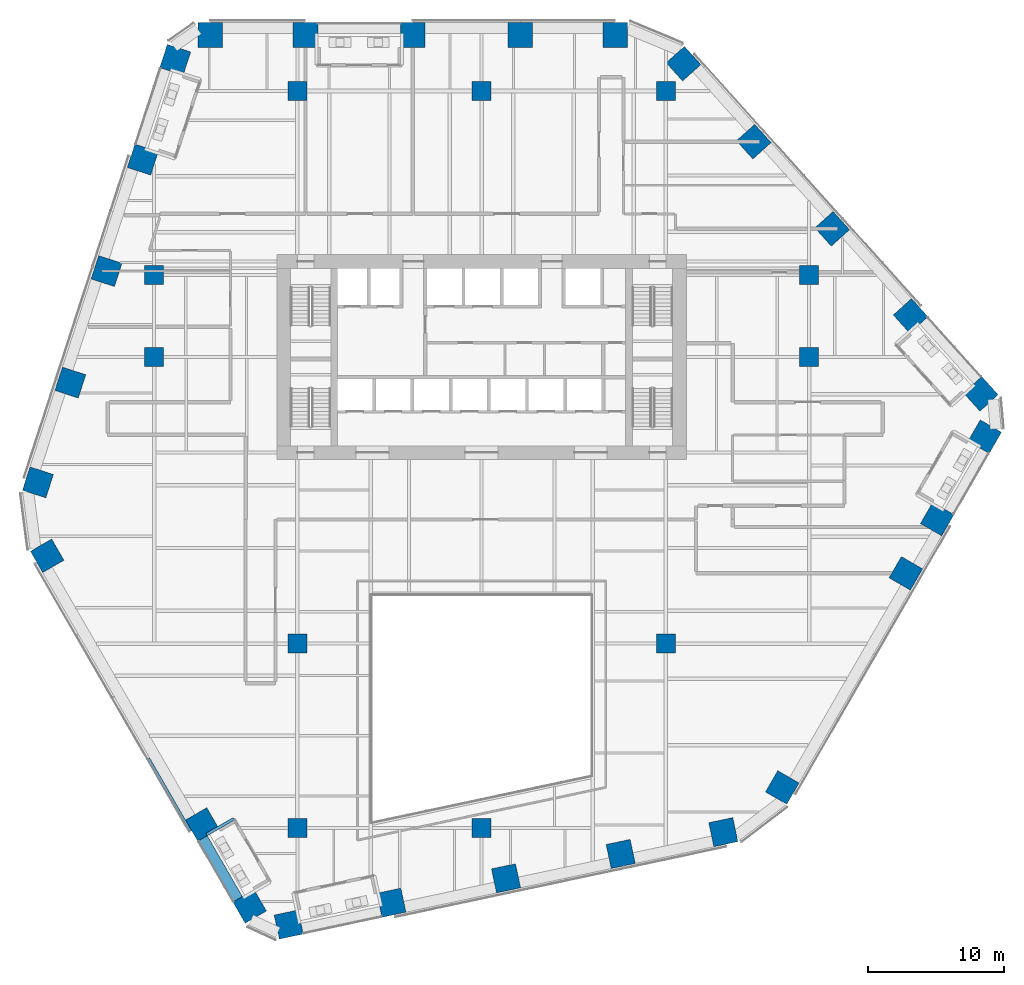
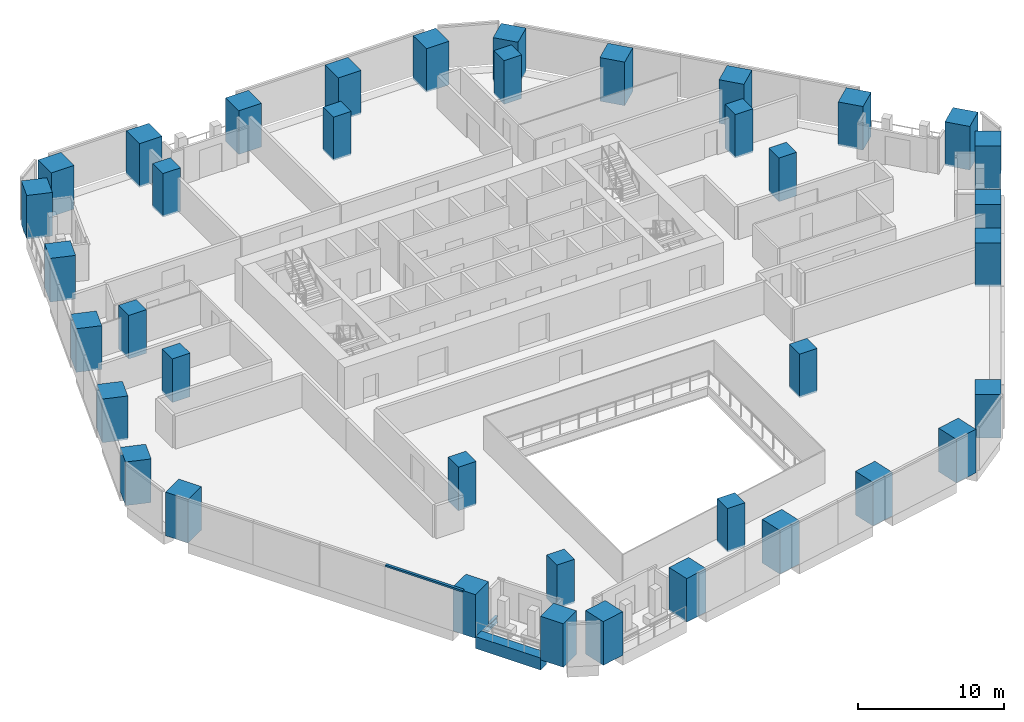
# One storey, part 1 of 28: 38 columns, 2 beams, 1 member, 1 element without a shape of its own.
"""IFC4 building model written with IfcOpenShell, lengths in metres."""

import ifcopenshell
import ifcopenshell.guid

model = None  # the IFC model being written
_history = None  # IfcOwnerHistory: only IFC2X3 demands one
_inside = {}  # id of a spatial element -> (the spatial element, [elements in it])
_under = {}  # id of a project, library or spatial element -> (it, [spatial elements below it])
_declared = {}  # id of a project -> (the project, [libraries it declares])
_typed = {}  # id of a type object -> (the type object, [elements of that type])
_made_of = {}  # id of a material, layer set ... -> (it, [elements and type objects made of it])


def new_model(schema):
    """Start an empty IFC model of exactly this schema.

    Asked for "IFC4X3", IfcOpenShell would pick the latest addendum, in which some entities
    have other attributes; the version numbers below select the first issue.
    IFC2X3 requires an IfcOwnerHistory on every rooted entity: one is made here for all.
    """
    global model, _history
    if schema == "IFC4X3":
        model = ifcopenshell.file(schema_version=(4, 3, 0, 0))
    else:
        model = ifcopenshell.file(schema=schema)
    _inside.clear()
    _under.clear()
    _declared.clear()
    _typed.clear()
    _made_of.clear()
    _history = None
    if model.schema == "IFC2X3":
        org = make("IfcOrganization", Name="unknown")
        user = make(
            "IfcPersonAndOrganization",
            ThePerson=make("IfcPerson", FamilyName="unknown"),
            TheOrganization=org,
        )
        app = make(
            "IfcApplication",
            ApplicationDeveloper=org,
            Version="unknown",
            ApplicationFullName="unknown",
            ApplicationIdentifier="unknown",
        )
        _history = make(
            "IfcOwnerHistory",
            OwningUser=user,
            OwningApplication=app,
            ChangeAction="ADDED",
            CreationDate=0,
        )
    return model


def make(cls, **values):
    """One entity of the class cls with the attributes given. An attribute that is None is left unset."""
    return model.create_entity(
        cls, **{name: value for name, value in values.items() if value is not None}
    )


def rooted(cls, **values):
    """An entity with a GlobalId (a new one), such as an element, a storey or a relation."""
    return make(cls, GlobalId=ifcopenshell.guid.new(), OwnerHistory=_history, **values)


def si_unit(unit_type, name, prefix=None):
    """IfcSIUnit, for example si_unit("LENGTHUNIT", "METRE", prefix="MILLI")."""
    return make("IfcSIUnit", UnitType=unit_type, Prefix=prefix, Name=name)


def assignment(units):
    """IfcUnitAssignment: the units of a project."""
    return None if units is None else make("IfcUnitAssignment", Units=units)


def point(xyz):
    """IfcCartesianPoint."""
    return None if xyz is None else make("IfcCartesianPoint", Coordinates=xyz)


def direction(xyz):
    """IfcDirection."""
    return None if xyz is None else make("IfcDirection", DirectionRatios=xyz)


def frame(location, z_axis=None, x_axis=None):
    """IfcAxis2Placement3D, a coordinate frame: its origin and axes. An axis left out is left unset."""
    return make(
        "IfcAxis2Placement3D",
        Location=point(location),
        Axis=direction(z_axis),
        RefDirection=direction(x_axis),
    )


def frame_2d(location, x_axis=None):
    """IfcAxis2Placement2D, a coordinate frame in the plane: its origin and x axis."""
    return make(
        "IfcAxis2Placement2D", Location=point(location), RefDirection=direction(x_axis)
    )


def origin():
    """The frame at (0, 0, 0) with its axes left unset."""
    return frame((0.0, 0.0, 0.0))


def origin_2d():
    """The frame at (0, 0) in the plane with its x axis left unset."""
    return frame_2d((0.0, 0.0))


def place(relative_to, where):
    """IfcLocalPlacement: puts the frame where relative to a parent placement (None: the world)."""
    return make(
        "IfcLocalPlacement", PlacementRelTo=relative_to, RelativePlacement=where
    )


def context(
    kind, dimensions, precision=None, world=None, true_north=None, identifier=None
):
    """IfcGeometricRepresentationContext, for example the 3D "Model" context."""
    return make(
        "IfcGeometricRepresentationContext",
        ContextIdentifier=identifier,
        ContextType=kind,
        CoordinateSpaceDimension=dimensions,
        Precision=precision,
        WorldCoordinateSystem=world,
        TrueNorth=true_north,
    )


def subcontext(parent, identifier, kind, view, scale=None):
    """IfcGeometricRepresentationSubContext, for example "Body" below "Model"."""
    return make(
        "IfcGeometricRepresentationSubContext",
        ContextIdentifier=identifier,
        ContextType=kind,
        ParentContext=parent,
        TargetScale=scale,
        TargetView=view,
    )


def project(units=None, contexts=None):
    """IfcProject with its units and contexts."""
    return rooted(
        "IfcProject",
        Name="project",
        RepresentationContexts=contexts,
        UnitsInContext=assignment(units),
    )


def spatial(cls, under=None, at=None, **own):
    """A site, building, storey or space (cls), placed at a placement, below another one or the project."""
    s = rooted(cls, ObjectPlacement=at, **own)
    if under is not None:
        _under.setdefault(under.id(), (under, []))[1].append(s)
    return s


def profile(cls, at=None, kind="AREA", **sizes):
    """A parametric profile (cls). Its sizes go by their IFC names, for example OverallWidth=200.0."""
    return make(cls, ProfileType=kind, Position=at, **sizes)


def rectangle(**sizes):
    """IfcRectangleProfileDef."""
    return profile("IfcRectangleProfileDef", **sizes)


def i_section(**sizes):
    """IfcIShapeProfileDef."""
    return profile("IfcIShapeProfileDef", **sizes)


def extrude(swept, where, along, depth):
    """IfcExtrudedAreaSolid: the profile swept, set in the frame where, extruded along a direction by depth."""
    return make(
        "IfcExtrudedAreaSolid",
        SweptArea=swept,
        Position=where,
        ExtrudedDirection=direction(along),
        Depth=depth,
    )


def shape(context_of_items, identifier, shape_type, items):
    """IfcShapeRepresentation: the items that make up one representation, for example the "Body"."""
    return make(
        "IfcShapeRepresentation",
        ContextOfItems=context_of_items,
        RepresentationIdentifier=identifier,
        RepresentationType=shape_type,
        Items=items,
    )


def material(Name=None, Category=None):
    """IfcMaterial."""
    return make("IfcMaterial", Name=Name, Category=Category)


def layer(
    of_material, thickness, ventilated=None, Name=None, Category=None, Priority=None
):
    """IfcMaterialLayer: one layer of a wall or slab, of a material (None: an air gap)."""
    return make(
        "IfcMaterialLayer",
        Material=of_material,
        LayerThickness=thickness,
        IsVentilated=ventilated,
        Name=Name,
        Category=Category,
        Priority=Priority,
    )


def layer_set(layers, Name=None):
    """IfcMaterialLayerSet."""
    return make("IfcMaterialLayerSet", MaterialLayers=layers, LayerSetName=Name)


def material_profile(
    of_material, cross_section, Name=None, Category=None, Priority=None
):
    """IfcMaterialProfile: a cross section and its material."""
    return make(
        "IfcMaterialProfile",
        Name=Name,
        Material=of_material,
        Profile=cross_section,
        Priority=Priority,
        Category=Category,
    )


def profile_set(profiles, Name=None, composite=None):
    """IfcMaterialProfileSet."""
    return make(
        "IfcMaterialProfileSet",
        Name=Name,
        MaterialProfiles=profiles,
        CompositeProfile=composite,
    )


def made_of(thing, what):
    """Note that an element or type object is made of a material, layer set ...; save() writes the relation."""
    if what is not None:
        _made_of.setdefault(what.id(), (what, []))[1].append(thing)
    return thing


def type_object(cls, material=None, **own):
    """A type object (cls), such as IfcWallType, which elements share."""
    return made_of(rooted(cls, **own), material)


def element(
    cls,
    number,
    at=None,
    inside=None,
    cuts=None,
    type_object=None,
    material=None,
    context=None,
    identifier="Body",
    shape_type=None,
    held_by="IfcProductDefinitionShape",
    body=None,
    shapes=None,
    **own,
):
    """One element of the class cls, such as IfcWall. Its Tag is "e" and its number.

    at: its placement. inside: the storey or other place that contains it. cuts: it is an
    opening in that element (IfcRelVoidsElement). A single representation is given by context,
    identifier, shape_type and body (its items); several are given by shapes. held_by: the class
    of the entity that holds the representations. save() writes the other relations.
    """
    e = rooted(cls, Tag="e%d" % number, ObjectPlacement=at, **own)
    if body is not None:
        shapes = [shape(context, identifier, shape_type, body)]
    if shapes is not None:
        e.Representation = make(held_by, Representations=shapes)
    if inside is not None:
        _inside.setdefault(inside.id(), (inside, []))[1].append(e)
    if cuts is not None:
        rooted(
            "IfcRelVoidsElement", RelatingBuildingElement=cuts, RelatedOpeningElement=e
        )
    if type_object is not None:
        _typed.setdefault(type_object.id(), (type_object, []))[1].append(e)
    return made_of(e, material)


def aggregate(whole, parts):
    """IfcRelAggregates: a whole, such as a stair, and the parts it consists of."""
    return rooted("IfcRelAggregates", RelatingObject=whole, RelatedObjects=parts)


def save(model, path):
    """Write the relations noted so far, then the file.

    IfcRelAggregates (storeys below a building ...), IfcRelContainedInSpatialStructure (elements
    in a storey), IfcRelDefinesByType, IfcRelAssociatesMaterial and IfcRelDeclares: one each for
    every whole, place, type object, material and project.
    """
    for whole, parts in _under.values():
        aggregate(whole, parts)
    for where, things in _inside.values():
        rooted(
            "IfcRelContainedInSpatialStructure",
            RelatedElements=things,
            RelatingStructure=where,
        )
    for kind, things in _typed.values():
        rooted("IfcRelDefinesByType", RelatedObjects=things, RelatingType=kind)
    for what, things in _made_of.values():
        rooted("IfcRelAssociatesMaterial", RelatedObjects=things, RelatingMaterial=what)
    for by, libraries in _declared.values():
        rooted("IfcRelDeclares", RelatingContext=by, RelatedDefinitions=libraries)
    model.write(path)


model = new_model("IFC4")

# Units and contexts
model_context = context("Model", 3, precision=1e-05, world=origin(), true_north=direction((0.0, 1.0)))
body_context = subcontext(model_context, "Body", "Model", "MODEL_VIEW")
ifc_project = project(units=[si_unit("LENGTHUNIT", "METRE"), si_unit("AREAUNIT", "SQUARE_METRE"), si_unit("VOLUMEUNIT", "CUBIC_METRE"), si_unit("PLANEANGLEUNIT", "RADIAN"), si_unit("MASSUNIT", "GRAM", prefix="KILO")], contexts=[model_context])

# Site, building, storey
site_placement = place(None, origin())
site = spatial("IfcSite", under=ifc_project, at=site_placement, CompositionType="ELEMENT")
building_placement = place(site_placement, origin())
building = spatial("IfcBuilding", under=site, at=building_placement, Name="Isthmus Gate Tower", CompositionType="ELEMENT")
storey_placement = place(building_placement, frame((0.0, 0.0, 68.85009765625)))
storey = spatial("IfcBuildingStorey", under=building, at=storey_placement, Name="L15", CompositionType="ELEMENT", Elevation=68.85009765625)

# Columns
ifc_material_1 = material(Name="Concrete f'c 70 MPa", Category="concrete")
ifc_material_profile_1 = material_profile(ifc_material_1, rectangle(XDim=1.39990234375, YDim=1.39990234375, at=origin_2d()), Name="RC 1400X1400")
ifc_profile_set_1 = profile_set([ifc_material_profile_1], Name="Concrete f'c 70 MPa")
column_type_1 = type_object("IfcColumnType", Name="RC INTERIOR COLUMN 1400 X 1400", PredefinedType="COLUMN", material=ifc_profile_set_1)
for number, where, z_axis, x_axis, name in (
    (1, (-24.0, 7.5, -0.150146484375), (0.0, 0.0, 1.0), (1.0, 0.0, 0.0), "str-icol-L15-ICA3"),
    (2, (-24.0, 13.5, -0.150146484375), (0.0, 0.0, 1.0), (1.0, 0.0, 0.0), "str-icol-L15-ICA4"),
    (3, (-13.5, -27.0, -0.150146484375), (0.0, 0.0, 1.0), (1.0, 0.0, 0.0), "str-icol-L15-ICB1"),
    (4, (-13.5, -13.5, -0.150146484375), (0.0, 0.0, 1.0), (1.0, 0.0, 0.0), "str-icol-L15-ICB2"),
    (5, (-13.5, 27.0, -0.150146484375), (0.0, 0.0, 1.0), (1.0, 0.0, 0.0), "str-icol-L15-ICB5"),
    (6, (0.0, -27.0, -0.150146484375), (0.0, 0.0, 1.0), (1.0, 0.0, 0.0), "str-icol-L15-ICC1"),
    (7, (0.0, 27.0, -0.150146484375), (0.0, 0.0, 1.0), (1.0, 0.0, 0.0), "str-icol-L15-ICC5"),
    (8, (13.5, -13.5, -0.150146484375), (0.0, 0.0, 1.0), (1.0, 0.0, 0.0), "str-icol-L15-ICD2"),
    (9, (13.5, 27.0, -0.150146484375), (0.0, 0.0, 1.0), (1.0, 0.0, 0.0), "str-icol-L15-ICD5"),
    (10, (24.0, 7.5, -0.150146484375), (0.0, 0.0, 1.0), (1.0, 0.0, 0.0), "str-icol-L15-ICE3"),
    (11, (24.0, 13.5, -0.150146484375), (0.0, 0.0, 1.0), (1.0, 0.0, 0.0), "str-icol-L15-ICE4"),
):
    element("IfcColumn", number, at=place(storey_placement, frame(where, z_axis=z_axis, x_axis=x_axis)), inside=storey, type_object=column_type_1, Name=name, PredefinedType="COLUMN", context=body_context, shape_type="SweptSolid", body=[
        extrude(rectangle(XDim=1.39990234375, YDim=1.39990234375, at=origin_2d()), origin(), (0.0, 0.0, 1.0), 3.650146484375),
    ])
ifc_material_2 = material(Name="Concrete f'c 70 MPa", Category="concrete")
ifc_material_profile_2 = material_profile(ifc_material_2, rectangle(XDim=1.800048828125, YDim=1.800048828125, at=origin_2d()), Name="RC 1800X1800")
ifc_profile_set_2 = profile_set([ifc_material_profile_2], Name="Concrete f'c 70 MPa")
column_type_2 = type_object("IfcColumnType", Name="RC TUBE COLUMN 1800 X 1800", PredefinedType="COLUMN", material=ifc_profile_set_2)
for number, where, z_axis, x_axis, name in (
    (12, (9.8017578125, 31.10009765625, -0.150146484375), (0.0, 0.0, 1.0), (-1.0, 0.0, 0.0), "str-tcol-L15-T1N0"),
    (13, (2.832275390625, 31.10009765625, -0.150146484375), (0.0, 0.0, 1.0), (-1.0, 0.0, 0.0), "str-tcol-L15-T1N1"),
    (14, (-5.037109375, 31.10009765625, -0.150146484375), (0.0, 0.0, 1.0), (-1.0, 0.0, 0.0), "str-tcol-L15-T1N2"),
    (15, (-12.90673828125, 31.10009765625, -0.150146484375), (0.0, 0.0, 1.0), (-1.0, 0.0, 0.0), "str-tcol-L15-T1N3"),
    (16, (-19.876220703125, 31.10009765625, -0.150146484375), (0.0, 0.0, 1.0), (-1.0, 0.0, 0.0), "str-tcol-L15-T1N4"),
    (17, (-22.451171875, 29.281005859375, -0.150146484375), (0.0, 0.0, 1.0), (-0.309016994375, -0.951056516295, 0.0), "str-tcol-L15-T1NW0"),
    (18, (-24.827392578125, 21.9677734375, -0.150146484375), (0.0, 0.0, 1.0), (-0.309016994375, -0.951056516295, 0.0), "str-tcol-L15-T1NW1"),
    (19, (-27.481689453125, 13.798828125, -0.150146484375), (0.0, 0.0, 1.0), (-0.309016994375, -0.951056516295, 0.0), "str-tcol-L15-T1NW2"),
    (20, (-30.135986328125, 5.6298828125, -0.150146484375), (0.0, 0.0, 1.0), (-0.309016994375, -0.951056516295, 0.0), "str-tcol-L15-T1NW3"),
    (21, (-32.511962890625, -1.68310546875, -0.150146484375), (0.0, 0.0, 1.0), (-0.309016994375, -0.951056516295, 0.0), "str-tcol-L15-T1NW4"),
    (22, (-31.834228515625, -7.061279296875, -0.150146484375), (0.0, 0.0, 1.0), (0.5, -0.866025403784, 0.0), "str-tcol-L15-T1SW0"),
    (23, (-20.467041015625, -26.75, -0.150146484375), (0.0, 0.0, 1.0), (0.5, -0.866025403784, 0.0), "str-tcol-L15-T1SW2"),
    (24, (-16.995361328125, -32.763427734375, -0.150146484375), (0.0, 0.0, 1.0), (0.5, -0.866025403784, 0.0), "str-tcol-L15-T1SW3"),
    (25, (-14.13232421875, -34.083740234375, -0.150146484375), (0.0, 0.0, 1.0), (0.978147600734, 0.207911690818, 0.0), "str-tcol-L15-T1S0"),
    (26, (-6.611083984375, -32.485107421875, -0.150146484375), (0.0, 0.0, 1.0), (0.978147600734, 0.207911690818, 0.0), "str-tcol-L15-T1S1"),
    (27, (1.79052734375, -30.69921875, -0.150146484375), (0.0, 0.0, 1.0), (0.978147600734, 0.207911690818, 0.0), "str-tcol-L15-T1S2"),
    (28, (10.192138671875, -28.91357421875, -0.150146484375), (0.0, 0.0, 1.0), (0.978147600734, 0.207911690818, 0.0), "str-tcol-L15-T1S3"),
    (29, (17.713623046875, -27.314697265625, -0.150146484375), (0.0, 0.0, 1.0), (0.978147600734, 0.207911690818, 0.0), "str-tcol-L15-T1S4"),
    (30, (22.032470703125, -24.03857421875, -0.150146484375), (0.0, 0.0, 1.0), (0.5, 0.866025403784, 0.0), "str-tcol-L15-T1SE0"),
    (31, (31.09033203125, -8.35009765625, -0.150146484375), (0.0, 0.0, 1.0), (0.5, 0.866025403784, 0.0), "str-tcol-L15-T1SE1"),
    (32, (33.38671875, -4.37255859375, -0.150146484375), (0.0, 0.0, 1.0), (0.5, 0.866025403784, 0.0), "str-tcol-L15-T1SE2"),
    (33, (36.87158203125, 1.663330078125, -0.150146484375), (0.0, 0.0, 1.0), (0.5, 0.866025403784, 0.0), "str-tcol-L15-T1SE3"),
    (34, (36.583740234375, 4.802978515625, -0.150146484375), (0.0, 0.0, 1.0), (-0.669130606359, 0.743144825477, 0.0), "str-tcol-L15-T1NE0"),
    (35, (31.4384765625, 10.517333984375, -0.150146484375), (0.0, 0.0, 1.0), (-0.669130606359, 0.743144825477, 0.0), "str-tcol-L15-T1NE1"),
    (36, (25.691162109375, 16.900390625, -0.150146484375), (0.0, 0.0, 1.0), (-0.669130606359, 0.743144825477, 0.0), "str-tcol-L15-T1NE2"),
    (37, (19.943603515625, 23.283447265625, -0.150146484375), (0.0, 0.0, 1.0), (-0.669130606359, 0.743144825477, 0.0), "str-tcol-L15-T1NE3"),
    (38, (14.798583984375, 28.997802734375, -0.150146484375), (0.0, 0.0, 1.0), (-0.669130606359, 0.743144825477, 0.0), "str-tcol-L15-T1NE4"),
):
    element("IfcColumn", number, at=place(storey_placement, frame(where, z_axis=z_axis, x_axis=x_axis)), inside=storey, type_object=column_type_2, Name=name, PredefinedType="COLUMN", context=body_context, shape_type="SweptSolid", body=[
        extrude(rectangle(XDim=1.800048828125, YDim=1.800048828125, at=origin_2d()), origin(), (0.0, 0.0, 1.0), 3.650146484375),
    ])

# Curtain wall, member
ifc_material_3 = material(Name="Aluminium, pale champagne anodised", Category="aluminium")
ifc_layer = layer(ifc_material_3, 0.199951171875)
ifc_layer_set = layer_set([ifc_layer], Name="CW-1 UNITISED CURTAIN WALL 200 DEEP")
curtain_wall_type = type_object("IfcCurtainWallType", Name="CW-1 UNITISED CURTAIN WALL 200 DEEP", PredefinedType="NOTDEFINED", material=ifc_layer_set)
curtain_wall_placement = place(storey_placement, origin())
curtain_wall = element("IfcCurtainWall", 39, at=curtain_wall_placement, inside=storey, type_object=curtain_wall_type, Name="CW-1 SW L15", PredefinedType="NOTDEFINED")
ifc_material_4 = material(Name="Aluminium, pale champagne anodised", Category="aluminium")
ifc_material_profile_3 = material_profile(ifc_material_4, rectangle(XDim=0.199951171875, YDim=0.14990234375, at=origin_2d()), Name="200x150")
ifc_profile_set_3 = profile_set([ifc_material_profile_3], Name="Aluminium, pale champagne anodised")
member_type = type_object("IfcMemberType", Name="CW-1 TRANSOM 200 X 150", PredefinedType="USERDEFINED", material=ifc_profile_set_3)
member_placement = place(storey_placement, frame((-24.39990234375, -21.938232421875, 3.574951171875), z_axis=(0.500017618927, -0.866015231253, 0.0), x_axis=(0.866015231253, 0.500017618927, 0.0)))
member = element("IfcMember", 40, at=member_placement, type_object=member_type, Name="CW-1 transom", ObjectType="TRANSOM", PredefinedType="USERDEFINED", context=body_context, shape_type="SweptSolid", body=[
    extrude(rectangle(XDim=0.199951171875, YDim=0.14990234375, at=origin_2d()), origin(), (0.0, 0.0, 1.0), 6.133544921875),
])
aggregate(curtain_wall, [member])

# Beams
ifc_material_5 = material(Name="Concrete f'c 70 MPa", Category="concrete")
ifc_material_profile_4 = material_profile(ifc_material_5, rectangle(XDim=0.800048828125, YDim=1.0, at=origin_2d()), Name="RC 800X1000")
ifc_profile_set_4 = profile_set([ifc_material_profile_4], Name="Concrete f'c 70 MPa")
beam_type_1 = type_object("IfcBeamType", Name="RC SPANDREL 800 X 1000", PredefinedType="SPANDREL", material=ifc_profile_set_4)
beam_1_placement = place(storey_placement, frame((-17.878173828125, -32.23388671875, -0.5), z_axis=(-0.500044296292, 0.865999827798, 0.0), x_axis=(-0.865999827798, -0.500044296292, 0.0)))
element("IfcBeam", 41, at=beam_1_placement, inside=storey, type_object=beam_type_1, Name="str-spandrel-L15-15", PredefinedType="SPANDREL", context=body_context, shape_type="SweptSolid", body=[
    extrude(rectangle(XDim=0.800048828125, YDim=1.0, at=origin_2d()), origin(), (0.0, 0.0, 1.0), 5.1435546875),
])
ifc_material_6 = material(Name="Structural steel ASTM A992 Gr 50", Category="steel")
ifc_material_profile_5 = material_profile(ifc_material_6, i_section(OverallWidth=0.20947265625, OverallDepth=0.533447265625, WebThickness=0.009521484375, FlangeThickness=0.015869140625, at=origin_2d()), Name="W21X62")
ifc_profile_set_5 = profile_set([ifc_material_profile_5], Name="Structural steel ASTM A992 Gr 50")
beam_type_2 = type_object("IfcBeamType", Name="STEEL TRIMMER W21X62", PredefinedType="BEAM", material=ifc_profile_set_5)
beam_2_placement = place(storey_placement, frame((-20.156005859375, -27.48876953125, -0.416748046875), z_axis=(0.866017993231, 0.500012835235, 0.0), x_axis=(-0.500012835235, 0.866017993231, 0.0)))
element("IfcBeam", 42, at=beam_2_placement, inside=storey, type_object=beam_type_2, Name="str-loggiatrim-L15-03-A", PredefinedType="BEAM", context=body_context, shape_type="SweptSolid", body=[
    extrude(i_section(OverallWidth=0.20947265625, OverallDepth=0.533447265625, WebThickness=0.009521484375, FlangeThickness=0.015869140625, at=origin_2d()), origin(), (0.0, 0.0, 1.0), 2.3046875),
])

save(model, "model.ifc")
